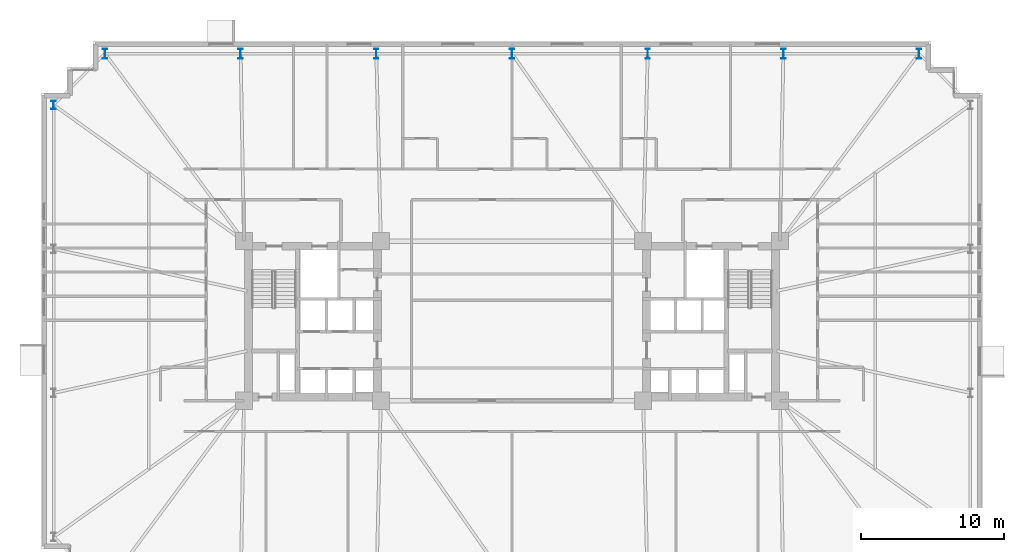
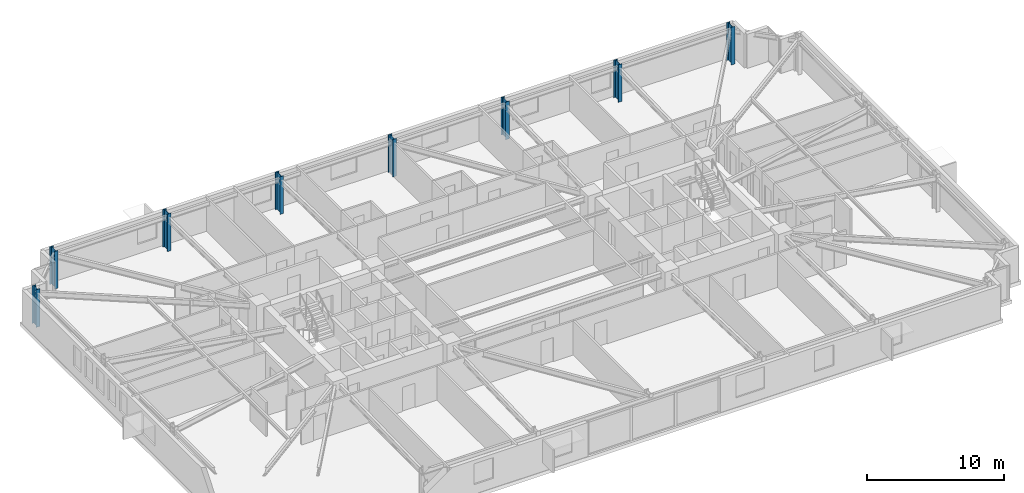
# One storey, part 2 of 24: 8 columns.
"""IFC4 building model written with IfcOpenShell, lengths in metres."""

from ifc_helpers import new_model, si_unit, direction, frame, origin, origin_2d, place, context, subcontext, project, spatial, i_section, extrude, material, material_profile, profile_set, type_object, element, save


model = new_model("IFC4")

# Units and contexts
model_context = context("Model", 3, precision=1e-05, world=origin(), true_north=direction((0.0, 1.0)))
body_context = subcontext(model_context, "Body", "Model", "MODEL_VIEW")
ifc_project = project(units=[si_unit("LENGTHUNIT", "METRE"), si_unit("AREAUNIT", "SQUARE_METRE"), si_unit("VOLUMEUNIT", "CUBIC_METRE"), si_unit("PLANEANGLEUNIT", "RADIAN"), si_unit("MASSUNIT", "GRAM", prefix="KILO")], contexts=[model_context])

# Site, building, storey
site_placement = place(None, origin())
site = spatial("IfcSite", under=ifc_project, at=site_placement, CompositionType="ELEMENT")
building_placement = place(site_placement, origin())
building = spatial("IfcBuilding", under=site, at=building_placement, Name="Qobustan Lattice House", CompositionType="ELEMENT")
storey_placement = place(building_placement, frame((0.0, 0.0, 43.75)))
storey = spatial("IfcBuildingStorey", under=building, at=storey_placement, Name="L11", CompositionType="ELEMENT", Elevation=43.75)

# Columns
ifc_material_1 = material(Name="Steel S460", Category="steel")
ifc_material_profile_1 = material_profile(ifc_material_1, i_section(OverallWidth=0.304931640625, OverallDepth=0.6201171875, WebThickness=0.02099609375, FlangeThickness=0.0400390625, FilletRadius=0.027099609375, at=origin_2d()), Name="HEM600")
ifc_profile_set_1 = profile_set([ifc_material_profile_1], Name="Steel S460")
column_type_1 = type_object("IfcColumnType", Name="COL-ST-HEM600", PredefinedType="COLUMN", material=ifc_profile_set_1)
column_placement = place(storey_placement, frame((-32.14990234375, 15.14990234375, 0.0), z_axis=(0.0, 0.0, 1.0), x_axis=(1.0, 0.0, 0.0)))
element("IfcColumn", 1, at=column_placement, inside=storey, type_object=column_type_1, Name="L11 B1 perimeter column W1", PredefinedType="COLUMN", context=body_context, shape_type="SweptSolid", body=[
    extrude(i_section(OverallWidth=0.304931640625, OverallDepth=0.6201171875, WebThickness=0.02099609375, FlangeThickness=0.0400390625, FilletRadius=0.027099609375, at=origin_2d()), origin(), (0.0, 0.0, 1.0), 3.35009765625),
])
ifc_material_2 = material(Name="Steel S460", Category="steel")
ifc_material_profile_2 = material_profile(ifc_material_2, i_section(OverallWidth=0.303955078125, OverallDepth=0.716064453125, WebThickness=0.02099609375, FlangeThickness=0.0400390625, FilletRadius=0.027099609375, at=origin_2d()), Name="HEM700")
ifc_profile_set_2 = profile_set([ifc_material_profile_2], Name="Steel S460")
column_type_2 = type_object("IfcColumnType", Name="COL-ST-HEM700", PredefinedType="COLUMN", material=ifc_profile_set_2)
for number, where, z_axis, x_axis, name in (
    (2, (28.550048828125, 18.75, 0.0), (0.0, 0.0, 1.0), (1.0, 0.0, 0.0), "L11 B1 perimeter column N1"),
    (3, (19.033203125, 18.75, 0.0), (0.0, 0.0, 1.0), (1.0, 0.0, 0.0), "L11 B1 perimeter column N2"),
    (4, (9.5166015625, 18.75, 0.0), (0.0, 0.0, 1.0), (1.0, 0.0, 0.0), "L11 B1 perimeter column N3"),
    (5, (0.0, 18.75, 0.0), (0.0, 0.0, 1.0), (1.0, 0.0, 0.0), "L11 B1 perimeter column N4"),
    (6, (-9.5166015625, 18.75, 0.0), (0.0, 0.0, 1.0), (1.0, 0.0, 0.0), "L11 B1 perimeter column N5"),
    (7, (-19.033203125, 18.75, 0.0), (0.0, 0.0, 1.0), (1.0, 0.0, 0.0), "L11 B1 perimeter column N6"),
    (8, (-28.550048828125, 18.75, 0.0), (0.0, 0.0, 1.0), (1.0, 0.0, 0.0), "L11 B1 perimeter column N7"),
):
    element("IfcColumn", number, at=place(storey_placement, frame(where, z_axis=z_axis, x_axis=x_axis)), inside=storey, type_object=column_type_2, Name=name, PredefinedType="COLUMN", context=body_context, shape_type="SweptSolid", body=[
        extrude(i_section(OverallWidth=0.303955078125, OverallDepth=0.716064453125, WebThickness=0.02099609375, FlangeThickness=0.0400390625, FilletRadius=0.027099609375, at=origin_2d()), origin(), (0.0, 0.0, 1.0), 3.35009765625),
    ])

save(model, "model.ifc")
